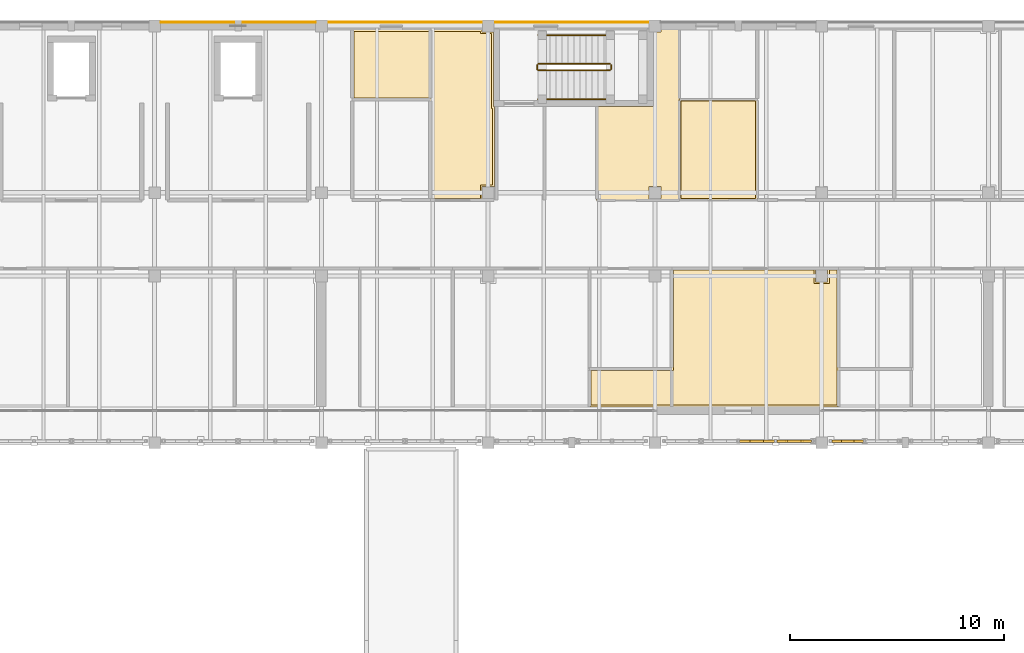
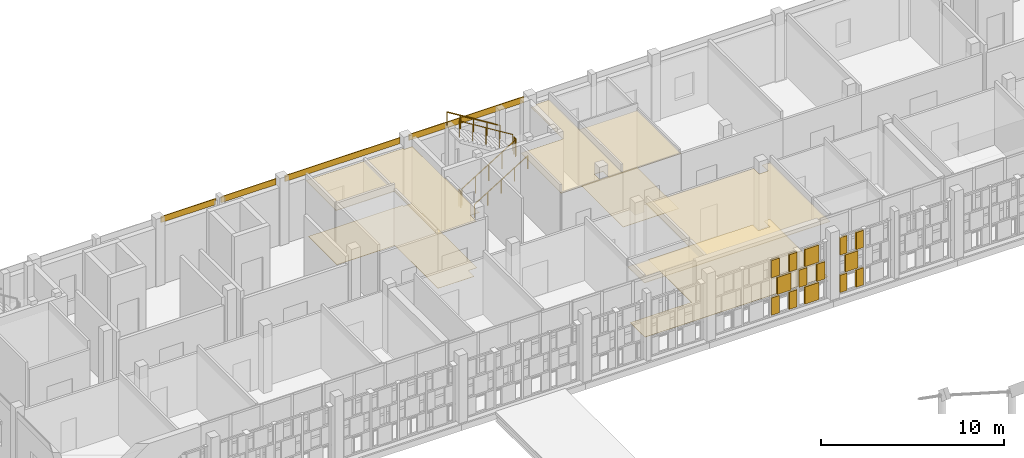
# One storey, part 116 of 119: 25 coverings, 6 railings.
"""IFC4 building model written with IfcOpenShell, lengths in metres."""

import ifcopenshell
import ifcopenshell.guid

model = None  # the IFC model being written
_history = None  # IfcOwnerHistory: only IFC2X3 demands one
_inside = {}  # id of a spatial element -> (the spatial element, [elements in it])
_under = {}  # id of a project, library or spatial element -> (it, [spatial elements below it])
_declared = {}  # id of a project -> (the project, [libraries it declares])
_typed = {}  # id of a type object -> (the type object, [elements of that type])
_made_of = {}  # id of a material, layer set ... -> (it, [elements and type objects made of it])


def new_model(schema):
    """Start an empty IFC model of exactly this schema.

    Asked for "IFC4X3", IfcOpenShell would pick the latest addendum, in which some entities
    have other attributes; the version numbers below select the first issue.
    IFC2X3 requires an IfcOwnerHistory on every rooted entity: one is made here for all.
    """
    global model, _history
    if schema == "IFC4X3":
        model = ifcopenshell.file(schema_version=(4, 3, 0, 0))
    else:
        model = ifcopenshell.file(schema=schema)
    _inside.clear()
    _under.clear()
    _declared.clear()
    _typed.clear()
    _made_of.clear()
    _history = None
    if model.schema == "IFC2X3":
        org = make("IfcOrganization", Name="unknown")
        user = make(
            "IfcPersonAndOrganization",
            ThePerson=make("IfcPerson", FamilyName="unknown"),
            TheOrganization=org,
        )
        app = make(
            "IfcApplication",
            ApplicationDeveloper=org,
            Version="unknown",
            ApplicationFullName="unknown",
            ApplicationIdentifier="unknown",
        )
        _history = make(
            "IfcOwnerHistory",
            OwningUser=user,
            OwningApplication=app,
            ChangeAction="ADDED",
            CreationDate=0,
        )
    return model


def make(cls, **values):
    """One entity of the class cls with the attributes given. An attribute that is None is left unset."""
    return model.create_entity(
        cls, **{name: value for name, value in values.items() if value is not None}
    )


def rooted(cls, **values):
    """An entity with a GlobalId (a new one), such as an element, a storey or a relation."""
    return make(cls, GlobalId=ifcopenshell.guid.new(), OwnerHistory=_history, **values)


def si_unit(unit_type, name, prefix=None):
    """IfcSIUnit, for example si_unit("LENGTHUNIT", "METRE", prefix="MILLI")."""
    return make("IfcSIUnit", UnitType=unit_type, Prefix=prefix, Name=name)


def assignment(units):
    """IfcUnitAssignment: the units of a project."""
    return None if units is None else make("IfcUnitAssignment", Units=units)


def point(xyz):
    """IfcCartesianPoint."""
    return None if xyz is None else make("IfcCartesianPoint", Coordinates=xyz)


def direction(xyz):
    """IfcDirection."""
    return None if xyz is None else make("IfcDirection", DirectionRatios=xyz)


def frame(location, z_axis=None, x_axis=None):
    """IfcAxis2Placement3D, a coordinate frame: its origin and axes. An axis left out is left unset."""
    return make(
        "IfcAxis2Placement3D",
        Location=point(location),
        Axis=direction(z_axis),
        RefDirection=direction(x_axis),
    )


def frame_2d(location, x_axis=None):
    """IfcAxis2Placement2D, a coordinate frame in the plane: its origin and x axis."""
    return make(
        "IfcAxis2Placement2D", Location=point(location), RefDirection=direction(x_axis)
    )


def origin():
    """The frame at (0, 0, 0) with its axes left unset."""
    return frame((0.0, 0.0, 0.0))


def origin_2d():
    """The frame at (0, 0) in the plane with its x axis left unset."""
    return frame_2d((0.0, 0.0))


def place(relative_to, where):
    """IfcLocalPlacement: puts the frame where relative to a parent placement (None: the world)."""
    return make(
        "IfcLocalPlacement", PlacementRelTo=relative_to, RelativePlacement=where
    )


def context(
    kind, dimensions, precision=None, world=None, true_north=None, identifier=None
):
    """IfcGeometricRepresentationContext, for example the 3D "Model" context."""
    return make(
        "IfcGeometricRepresentationContext",
        ContextIdentifier=identifier,
        ContextType=kind,
        CoordinateSpaceDimension=dimensions,
        Precision=precision,
        WorldCoordinateSystem=world,
        TrueNorth=true_north,
    )


def subcontext(parent, identifier, kind, view, scale=None):
    """IfcGeometricRepresentationSubContext, for example "Body" below "Model"."""
    return make(
        "IfcGeometricRepresentationSubContext",
        ContextIdentifier=identifier,
        ContextType=kind,
        ParentContext=parent,
        TargetScale=scale,
        TargetView=view,
    )


def project(units=None, contexts=None):
    """IfcProject with its units and contexts."""
    return rooted(
        "IfcProject",
        Name="project",
        RepresentationContexts=contexts,
        UnitsInContext=assignment(units),
    )


def spatial(cls, under=None, at=None, **own):
    """A site, building, storey or space (cls), placed at a placement, below another one or the project."""
    s = rooted(cls, ObjectPlacement=at, **own)
    if under is not None:
        _under.setdefault(under.id(), (under, []))[1].append(s)
    return s


def polyline(points):
    """IfcPolyline through the points."""
    return make("IfcPolyline", Points=[point(p) for p in points])


def profile(cls, at=None, kind="AREA", **sizes):
    """A parametric profile (cls). Its sizes go by their IFC names, for example OverallWidth=200.0."""
    return make(cls, ProfileType=kind, Position=at, **sizes)


def rectangle(**sizes):
    """IfcRectangleProfileDef."""
    return profile("IfcRectangleProfileDef", **sizes)


def circle(**sizes):
    """IfcCircleProfileDef."""
    return profile("IfcCircleProfileDef", **sizes)


def outline(outer, holes=None, kind="AREA"):
    """IfcArbitraryClosedProfileDef: a profile drawn as a closed curve; with holes, ...WithVoids."""
    if holes is None:
        return make("IfcArbitraryClosedProfileDef", ProfileType=kind, OuterCurve=outer)
    return make(
        "IfcArbitraryProfileDefWithVoids",
        ProfileType=kind,
        OuterCurve=outer,
        InnerCurves=holes,
    )


def extrude(swept, where, along, depth):
    """IfcExtrudedAreaSolid: the profile swept, set in the frame where, extruded along a direction by depth."""
    return make(
        "IfcExtrudedAreaSolid",
        SweptArea=swept,
        Position=where,
        ExtrudedDirection=direction(along),
        Depth=depth,
    )


def shape(context_of_items, identifier, shape_type, items):
    """IfcShapeRepresentation: the items that make up one representation, for example the "Body"."""
    return make(
        "IfcShapeRepresentation",
        ContextOfItems=context_of_items,
        RepresentationIdentifier=identifier,
        RepresentationType=shape_type,
        Items=items,
    )


def material(Name=None, Category=None):
    """IfcMaterial."""
    return make("IfcMaterial", Name=Name, Category=Category)


def layer(
    of_material, thickness, ventilated=None, Name=None, Category=None, Priority=None
):
    """IfcMaterialLayer: one layer of a wall or slab, of a material (None: an air gap)."""
    return make(
        "IfcMaterialLayer",
        Material=of_material,
        LayerThickness=thickness,
        IsVentilated=ventilated,
        Name=Name,
        Category=Category,
        Priority=Priority,
    )


def layer_set(layers, Name=None):
    """IfcMaterialLayerSet."""
    return make("IfcMaterialLayerSet", MaterialLayers=layers, LayerSetName=Name)


def made_of(thing, what):
    """Note that an element or type object is made of a material, layer set ...; save() writes the relation."""
    if what is not None:
        _made_of.setdefault(what.id(), (what, []))[1].append(thing)
    return thing


def type_object(cls, material=None, **own):
    """A type object (cls), such as IfcWallType, which elements share."""
    return made_of(rooted(cls, **own), material)


def element(
    cls,
    number,
    at=None,
    inside=None,
    cuts=None,
    type_object=None,
    material=None,
    context=None,
    identifier="Body",
    shape_type=None,
    held_by="IfcProductDefinitionShape",
    body=None,
    shapes=None,
    **own,
):
    """One element of the class cls, such as IfcWall. Its Tag is "e" and its number.

    at: its placement. inside: the storey or other place that contains it. cuts: it is an
    opening in that element (IfcRelVoidsElement). A single representation is given by context,
    identifier, shape_type and body (its items); several are given by shapes. held_by: the class
    of the entity that holds the representations. save() writes the other relations.
    """
    e = rooted(cls, Tag="e%d" % number, ObjectPlacement=at, **own)
    if body is not None:
        shapes = [shape(context, identifier, shape_type, body)]
    if shapes is not None:
        e.Representation = make(held_by, Representations=shapes)
    if inside is not None:
        _inside.setdefault(inside.id(), (inside, []))[1].append(e)
    if cuts is not None:
        rooted(
            "IfcRelVoidsElement", RelatingBuildingElement=cuts, RelatedOpeningElement=e
        )
    if type_object is not None:
        _typed.setdefault(type_object.id(), (type_object, []))[1].append(e)
    return made_of(e, material)


def aggregate(whole, parts):
    """IfcRelAggregates: a whole, such as a stair, and the parts it consists of."""
    return rooted("IfcRelAggregates", RelatingObject=whole, RelatedObjects=parts)


def save(model, path):
    """Write the relations noted so far, then the file.

    IfcRelAggregates (storeys below a building ...), IfcRelContainedInSpatialStructure (elements
    in a storey), IfcRelDefinesByType, IfcRelAssociatesMaterial and IfcRelDeclares: one each for
    every whole, place, type object, material and project.
    """
    for whole, parts in _under.values():
        aggregate(whole, parts)
    for where, things in _inside.values():
        rooted(
            "IfcRelContainedInSpatialStructure",
            RelatedElements=things,
            RelatingStructure=where,
        )
    for kind, things in _typed.values():
        rooted("IfcRelDefinesByType", RelatedObjects=things, RelatingType=kind)
    for what, things in _made_of.values():
        rooted("IfcRelAssociatesMaterial", RelatedObjects=things, RelatingMaterial=what)
    for by, libraries in _declared.values():
        rooted("IfcRelDeclares", RelatingContext=by, RelatedDefinitions=libraries)
    model.write(path)


model = new_model("IFC4")

# Units and contexts
model_context = context("Model", 3, precision=1e-05, world=origin(), true_north=direction((0.0, 1.0)))
body_context = subcontext(model_context, "Body", "Model", "MODEL_VIEW")
ifc_project = project(units=[si_unit("LENGTHUNIT", "METRE"), si_unit("AREAUNIT", "SQUARE_METRE"), si_unit("VOLUMEUNIT", "CUBIC_METRE"), si_unit("PLANEANGLEUNIT", "RADIAN"), si_unit("MASSUNIT", "GRAM", prefix="KILO")], contexts=[model_context])

# Site, building, storey
site_placement = place(None, origin())
site = spatial("IfcSite", under=ifc_project, at=site_placement, CompositionType="ELEMENT")
building_placement = place(site_placement, origin())
building = spatial("IfcBuilding", under=site, at=building_placement, Name="Celorna Specialist Clinic", CompositionType="ELEMENT")
storey_placement = place(building_placement, frame((0.0, 0.0, 9.60009765625)))
storey = spatial("IfcBuildingStorey", under=building, at=storey_placement, Name="L02", CompositionType="ELEMENT", Elevation=9.60009765625)

# Coverings
ifc_material_1 = material(Name="Hygienic acoustic mineral-fibre ceiling")
ifc_layer_1 = layer(ifc_material_1, 0.030029296875, Name="Hygienic acoustic mineral-fibre ceiling")
ifc_layer_set_1 = layer_set([ifc_layer_1], Name="Hygienic acoustic mineral-fibre ceiling")
covering_type_1 = type_object("IfcCoveringType", Name="CE-01", PredefinedType="CEILING", material=ifc_layer_set_1)
covering_1_placement = place(storey_placement, frame((0.0, 0.0, 3.68994140625)))
element("IfcCovering", 1, at=covering_1_placement, inside=storey, type_object=covering_type_1, Name="Acoustic ceiling L02-033", PredefinedType="CEILING", context=body_context, shape_type="SweptSolid", body=[
    extrude(outline(polyline([(86.574951171875, 104.6650390625), (93.330078125, 104.6650390625), (93.330078125, 104.580078125), (93.320068359375, 104.580078125), (93.320068359375, 104.02001953125), (93.8798828125, 104.02001953125), (93.8798828125, 104.580078125), (93.8701171875, 104.580078125), (93.8701171875, 104.6650390625), (94.405029296875, 104.6650390625), (94.405029296875, 98.175048828125), (82.72509765625, 98.175048828125), (82.72509765625, 99.965087890625), (86.574951171875, 99.965087890625), (86.574951171875, 104.6650390625)])), origin(), (0.0, 0.0, 1.0), 0.030029296875),
])
covering_2_placement = place(storey_placement, frame((0.0, 0.0, 3.68994140625)))
element("IfcCovering", 2, at=covering_2_placement, inside=storey, type_object=covering_type_1, Name="Acoustic ceiling L02-043", PredefinedType="CEILING", context=body_context, shape_type="SweptSolid", body=[
    extrude(outline(polyline([(71.625, 112.534912109375), (71.625, 115.824951171875), (77.719970703125, 115.824951171875), (77.719970703125, 115.719970703125), (78.2548828125, 115.719970703125), (78.2548828125, 112.235107421875), (78.284912109375, 112.235107421875), (78.284912109375, 108.469970703125), (78.280029296875, 108.469970703125), (78.280029296875, 108.47998046875), (77.719970703125, 108.47998046875), (77.719970703125, 107.919921875), (77.72998046875, 107.919921875), (77.72998046875, 107.8349609375), (75.27490234375, 107.8349609375), (75.27490234375, 112.534912109375), (71.625, 112.534912109375)])), origin(), (0.0, 0.0, 1.0), 0.030029296875),
])
covering_3_placement = place(storey_placement, frame((0.0, 0.0, 3.68994140625)))
element("IfcCovering", 3, at=covering_3_placement, inside=storey, type_object=covering_type_1, Name="Acoustic ceiling L02-044", PredefinedType="CEILING", context=body_context, shape_type="SweptSolid", body=[
    extrude(outline(polyline([(83.074951171875, 107.8349609375), (83.074951171875, 112.235107421875), (85.72509765625, 112.235107421875), (85.72509765625, 115.719970703125), (86.080078125, 115.719970703125), (86.080078125, 115.824951171875), (86.955078125, 115.824951171875), (86.955078125, 107.8349609375), (86.070068359375, 107.8349609375), (86.070068359375, 107.919921875), (86.080078125, 107.919921875), (86.080078125, 108.47998046875), (85.52001953125, 108.47998046875), (85.52001953125, 107.919921875), (85.530029296875, 107.919921875), (85.530029296875, 107.8349609375), (83.074951171875, 107.8349609375)])), origin(), (0.0, 0.0, 1.0), 0.030029296875),
])
covering_4_placement = place(storey_placement, frame((0.0, 0.0, 3.68994140625)))
element("IfcCovering", 4, at=covering_4_placement, inside=storey, type_object=covering_type_1, Name="Acoustic ceiling L02-045", PredefinedType="CEILING", context=body_context, shape_type="SweptSolid", body=[
    extrude(outline(polyline([(90.60498046875, 112.56494140625), (90.60498046875, 107.8349609375), (86.925048828125, 107.8349609375), (86.925048828125, 112.56494140625), (90.60498046875, 112.56494140625)])), origin(), (0.0, 0.0, 1.0), 0.030029296875),
])
ifc_material_2 = material(Name="Pero Pinheiro Lioz limestone rainscreen cladding", Category="masonry")
ifc_layer_2 = layer(ifc_material_2, 0.044921875, Name="Pero Pinheiro Lioz limestone rainscreen cladding")
ifc_layer_set_2 = layer_set([ifc_layer_2], Name="Pero Pinheiro Lioz limestone rainscreen cladding")
covering_type_2 = type_object("IfcCoveringType", Name="CL-01", PredefinedType="CLADDING", material=ifc_layer_set_2)
for number, where, z_axis, x_axis, name in (
    (5, (64.41259765625, 116.16748046875, 3.83984375), (0.0, 0.0, 1.0), (1.0, 0.0, 0.0), "Lioz spandrel cladding #237"),
    (6, (68.1875, 116.16748046875, 3.83984375), (0.0, 0.0, 1.0), (1.0, 0.0, 0.0), "Lioz spandrel cladding #238"),
):
    element("IfcCovering", number, at=place(storey_placement, frame(where, z_axis=z_axis, x_axis=x_axis)), inside=storey, type_object=covering_type_2, Name=name, PredefinedType="CLADDING", context=body_context, shape_type="SweptSolid", body=[
        extrude(rectangle(XDim=3.47509765625, YDim=0.044921875, at=origin_2d()), origin(), (0.0, 0.0, 1.0), 0.39990234375),
    ])
for number, where, z_axis, x_axis, name in (
    (7, (74.10009765625, 116.16748046875, 3.83984375), (0.0, 0.0, 1.0), (1.0, 0.0, 0.0), "Lioz spandrel cladding #239"),
    (8, (81.89990234375, 116.16748046875, 3.83984375), (0.0, 0.0, 1.0), (1.0, 0.0, 0.0), "Lioz spandrel cladding #240"),
):
    element("IfcCovering", number, at=place(storey_placement, frame(where, z_axis=z_axis, x_axis=x_axis)), inside=storey, type_object=covering_type_2, Name=name, PredefinedType="CLADDING", context=body_context, shape_type="SweptSolid", body=[
        extrude(rectangle(XDim=7.25, YDim=0.044921875, at=origin_2d()), origin(), (0.0, 0.0, 1.0), 0.39990234375),
    ])
ifc_material_3 = material(Name="Perforated terracotta brick weave cladding", Category="masonry")
ifc_layer_3 = layer(ifc_material_3, 0.114990234375, Name="Perforated terracotta brick weave cladding")
ifc_layer_set_3 = layer_set([ifc_layer_3], Name="Perforated terracotta brick weave cladding")
covering_type_3 = type_object("IfcCoveringType", Name="CL-02", PredefinedType="CLADDING", material=ifc_layer_set_3)
for number, where, z_axis, x_axis, name in (
    (9, (90.00732421875, 96.570068359375, 0.10009765625), (0.0, 0.0, 1.0), (1.0, 0.0, 0.0), "Woven perforated terracotta brick course #959"),
    (10, (91.135009765625, 96.570068359375, 0.10009765625), (0.0, 0.0, 1.0), (1.0, 0.0, 0.0), "Woven perforated terracotta brick course #960"),
):
    element("IfcCovering", number, at=place(storey_placement, frame(where, z_axis=z_axis, x_axis=x_axis)), inside=storey, type_object=covering_type_3, Name=name, PredefinedType="CLADDING", context=body_context, shape_type="SweptSolid", body=[
        extrude(rectangle(XDim=0.494873046875, YDim=0.114990234375, at=origin_2d()), origin(), (0.0, 0.0, 1.0), 1.146728515625),
    ])
covering_5_placement = place(storey_placement, frame((90.5712890625, 96.570068359375, 1.3466796875), z_axis=(0.0, 0.0, 1.0), x_axis=(1.0, 0.0, 0.0)))
element("IfcCovering", 11, at=covering_5_placement, inside=storey, type_object=covering_type_3, Name="Woven perforated terracotta brick course #961", PredefinedType="CLADDING", context=body_context, shape_type="SweptSolid", body=[
    extrude(rectangle(XDim=0.876220703125, YDim=0.114990234375, at=origin_2d()), origin(), (0.0, 0.0, 1.0), 1.146484375),
])
for number, where, z_axis, x_axis, name in (
    (12, (90.00732421875, 96.570068359375, 2.59326171875), (0.0, 0.0, 1.0), (1.0, 0.0, 0.0), "Woven perforated terracotta brick course #962"),
    (13, (91.135009765625, 96.570068359375, 2.59326171875), (0.0, 0.0, 1.0), (1.0, 0.0, 0.0), "Woven perforated terracotta brick course #963"),
):
    element("IfcCovering", number, at=place(storey_placement, frame(where, z_axis=z_axis, x_axis=x_axis)), inside=storey, type_object=covering_type_3, Name=name, PredefinedType="CLADDING", context=body_context, shape_type="SweptSolid", body=[
        extrude(rectangle(XDim=0.494873046875, YDim=0.114990234375, at=origin_2d()), origin(), (0.0, 0.0, 1.0), 1.146728515625),
    ])
covering_6_placement = place(storey_placement, frame((92.313720703125, 96.570068359375, 0.10009765625), z_axis=(0.0, 0.0, 1.0), x_axis=(1.0, 0.0, 0.0)))
element("IfcCovering", 14, at=covering_6_placement, inside=storey, type_object=covering_type_3, Name="Woven perforated terracotta brick course #964", PredefinedType="CLADDING", context=body_context, shape_type="SweptSolid", body=[
    extrude(rectangle(XDim=0.876220703125, YDim=0.114990234375, at=origin_2d()), origin(), (0.0, 0.0, 1.0), 1.146728515625),
])
for number, where, z_axis, x_axis, name in (
    (15, (91.75, 96.570068359375, 1.3466796875), (0.0, 0.0, 1.0), (1.0, 0.0, 0.0), "Woven perforated terracotta brick course #965"),
    (16, (92.87744140625, 96.570068359375, 1.3466796875), (0.0, 0.0, 1.0), (1.0, 0.0, 0.0), "Woven perforated terracotta brick course #966"),
):
    element("IfcCovering", number, at=place(storey_placement, frame(where, z_axis=z_axis, x_axis=x_axis)), inside=storey, type_object=covering_type_3, Name=name, PredefinedType="CLADDING", context=body_context, shape_type="SweptSolid", body=[
        extrude(rectangle(XDim=0.494873046875, YDim=0.114990234375, at=origin_2d()), origin(), (0.0, 0.0, 1.0), 1.146484375),
    ])
covering_7_placement = place(storey_placement, frame((92.313720703125, 96.570068359375, 2.59326171875), z_axis=(0.0, 0.0, 1.0), x_axis=(1.0, 0.0, 0.0)))
element("IfcCovering", 17, at=covering_7_placement, inside=storey, type_object=covering_type_3, Name="Woven perforated terracotta brick course #967", PredefinedType="CLADDING", context=body_context, shape_type="SweptSolid", body=[
    extrude(rectangle(XDim=0.876220703125, YDim=0.114990234375, at=origin_2d()), origin(), (0.0, 0.0, 1.0), 1.146728515625),
])
for number, where, z_axis, x_axis, name in (
    (18, (94.30029296875, 96.570068359375, 0.10009765625), (0.0, 0.0, 1.0), (1.0, 0.0, 0.0), "Woven perforated terracotta brick course #968"),
    (19, (95.3271484375, 96.570068359375, 0.10009765625), (0.0, 0.0, 1.0), (1.0, 0.0, 0.0), "Woven perforated terracotta brick course #969"),
):
    element("IfcCovering", number, at=place(storey_placement, frame(where, z_axis=z_axis, x_axis=x_axis)), inside=storey, type_object=covering_type_3, Name=name, PredefinedType="CLADDING", context=body_context, shape_type="SweptSolid", body=[
        extrude(rectangle(XDim=0.45068359375, YDim=0.114990234375, at=origin_2d()), origin(), (0.0, 0.0, 1.0), 1.146728515625),
    ])
covering_8_placement = place(storey_placement, frame((94.813720703125, 96.570068359375, 1.3466796875), z_axis=(0.0, 0.0, 1.0), x_axis=(1.0, 0.0, 0.0)))
element("IfcCovering", 20, at=covering_8_placement, inside=storey, type_object=covering_type_3, Name="Woven perforated terracotta brick course #970", PredefinedType="CLADDING", context=body_context, shape_type="SweptSolid", body=[
    extrude(rectangle(XDim=0.7978515625, YDim=0.114990234375, at=origin_2d()), origin(), (0.0, 0.0, 1.0), 1.146484375),
])
for number, where, z_axis, x_axis, name in (
    (21, (94.30029296875, 96.570068359375, 2.59326171875), (0.0, 0.0, 1.0), (1.0, 0.0, 0.0), "Woven perforated terracotta brick course #971"),
    (22, (95.3271484375, 96.570068359375, 2.59326171875), (0.0, 0.0, 1.0), (1.0, 0.0, 0.0), "Woven perforated terracotta brick course #972"),
):
    element("IfcCovering", number, at=place(storey_placement, frame(where, z_axis=z_axis, x_axis=x_axis)), inside=storey, type_object=covering_type_3, Name=name, PredefinedType="CLADDING", context=body_context, shape_type="SweptSolid", body=[
        extrude(rectangle(XDim=0.45068359375, YDim=0.114990234375, at=origin_2d()), origin(), (0.0, 0.0, 1.0), 1.146728515625),
    ])
ifc_material_4 = material(Name="Seamless antimicrobial clinical vinyl and Lioz terrazzo flooring")
ifc_layer_4 = layer(ifc_material_4, 0.02001953125, Name="Seamless antimicrobial clinical vinyl and Lioz terrazzo flooring")
ifc_layer_set_4 = layer_set([ifc_layer_4], Name="Seamless antimicrobial clinical vinyl and Lioz terrazzo flooring")
covering_type_4 = type_object("IfcCoveringType", Name="FL-01", PredefinedType="FLOORING", material=ifc_layer_set_4)
covering_9_placement = place(storey_placement, origin())
element("IfcCovering", 23, at=covering_9_placement, inside=storey, type_object=covering_type_4, Name="Antimicrobial clinical flooring L02-033", PredefinedType="FLOORING", context=body_context, shape_type="SweptSolid", body=[
    extrude(outline(polyline([(86.6650390625, 99.875), (86.6650390625, 104.574951171875), (93.239990234375, 104.574951171875), (93.239990234375, 103.93994140625), (93.9599609375, 103.93994140625), (93.9599609375, 104.574951171875), (94.31494140625, 104.574951171875), (94.31494140625, 98.264892578125), (82.81494140625, 98.264892578125), (82.81494140625, 99.875), (86.6650390625, 99.875)])), origin(), (0.0, 0.0, 1.0), 0.02001953125),
])
covering_10_placement = place(storey_placement, origin())
element("IfcCovering", 24, at=covering_10_placement, inside=storey, type_object=covering_type_4, Name="Antimicrobial clinical flooring L02-043", PredefinedType="FLOORING", context=body_context, shape_type="SweptSolid", body=[
    extrude(outline(polyline([(75.364990234375, 112.625), (71.715087890625, 112.625), (71.715087890625, 115.735107421875), (77.639892578125, 115.735107421875), (77.639892578125, 115.639892578125), (78.1650390625, 115.639892578125), (78.1650390625, 112.14501953125), (78.195068359375, 112.14501953125), (78.195068359375, 108.56005859375), (77.639892578125, 108.56005859375), (77.639892578125, 107.925048828125), (75.364990234375, 107.925048828125), (75.364990234375, 112.625)])), origin(), (0.0, 0.0, 1.0), 0.02001953125),
])
covering_11_placement = place(storey_placement, origin())
element("IfcCovering", 25, at=covering_11_placement, inside=storey, type_object=covering_type_4, Name="Antimicrobial clinical flooring L02-045", PredefinedType="FLOORING", context=body_context, shape_type="SweptSolid", body=[
    extrude(outline(polyline([(87.014892578125, 112.47509765625), (90.514892578125, 112.47509765625), (90.514892578125, 107.925048828125), (87.014892578125, 107.925048828125), (87.014892578125, 112.47509765625)])), origin(), (0.0, 0.0, 1.0), 0.02001953125),
])

# Railings
ifc_material_5 = material(Name="Powder-coated steel S355", Category="steel")
railing_type_1 = type_object("IfcRailingType", Name="GR-01", PredefinedType="GUARDRAIL", material=ifc_material_5)
railing_1_placement = place(storey_placement, frame((80.340087890625, 113.919921875, 0.173095703125)))
element("IfcRailing", 26, at=railing_1_placement, inside=storey, type_object=railing_type_1, Name="L02 ST-02 stair guard 1", PredefinedType="GUARDRAIL", context=body_context, shape_type="SweptSolid", body=[
    extrude(circle(Radius=0.02392578125, at=origin_2d()), frame((0.0, 0.0, 1.09619140625), z_axis=(0.850606129759, 0.0, 0.525803396734), x_axis=(0.0, 1.0, 0.0)), (0.0, 0.0, 1.0), 3.949951171875),
    extrude(circle(Radius=0.02099609375, at=origin_2d()), origin(), (0.0, 0.0, 1.0), 1.072021484375),
    extrude(circle(Radius=0.02099609375, at=origin_2d()), frame((0.83984375, 0.0, 0.519287109375)), (0.0, 0.0, 1.0), 1.072021484375),
    extrude(circle(Radius=0.02099609375, at=origin_2d()), frame((1.679931640625, 0.0, 1.03857421875)), (0.0, 0.0, 1.0), 1.072021484375),
    extrude(circle(Radius=0.02099609375, at=origin_2d()), frame((2.52001953125, 0.0, 1.5576171875)), (0.0, 0.0, 1.0), 1.072021484375),
    extrude(circle(Radius=0.02099609375, at=origin_2d()), frame((3.35986328125, 0.0, 2.076904296875)), (0.0, 0.0, 1.0), 1.072021484375),
])
railing_2_placement = place(storey_placement, frame((83.75, 113.969970703125, 2.25)))
element("IfcRailing", 27, at=railing_2_placement, inside=storey, type_object=railing_type_1, Name="L02 ST-02 stair guard 2", PredefinedType="GUARDRAIL", context=body_context, shape_type="SweptSolid", body=[
    extrude(circle(Radius=0.02392578125, at=origin_2d()), frame((0.0, 0.0, 1.09619140625), z_axis=(0.0, 1.0, 0.0), x_axis=(-1.0, 0.0, 0.0)), (0.0, 0.0, 1.0), 0.199951171875),
    extrude(circle(Radius=0.02099609375, at=origin_2d()), origin(), (0.0, 0.0, 1.0), 1.072021484375),
    extrude(circle(Radius=0.02099609375, at=origin_2d()), frame((0.0, 0.199951171875, 0.0)), (0.0, 0.0, 1.0), 1.072021484375),
])
railing_3_placement = place(storey_placement, frame((83.699951171875, 114.219970703125, 2.423095703125)))
element("IfcRailing", 28, at=railing_3_placement, inside=storey, type_object=railing_type_1, Name="L02 ST-02 stair guard 3", PredefinedType="GUARDRAIL", context=body_context, shape_type="SweptSolid", body=[
    extrude(circle(Radius=0.02392578125, at=origin_2d()), frame((0.0, 0.0, 1.09619140625), z_axis=(-0.850606129759, 0.0, 0.525803396734), x_axis=(0.0, -1.0, 0.0)), (0.0, 0.0, 1.0), 3.949951171875),
    extrude(circle(Radius=0.02099609375, at=origin_2d()), origin(), (0.0, 0.0, 1.0), 1.072021484375),
    extrude(circle(Radius=0.02099609375, at=origin_2d()), frame((-0.83984375, 0.0, 0.519287109375)), (0.0, 0.0, 1.0), 1.072021484375),
    extrude(circle(Radius=0.02099609375, at=origin_2d()), frame((-1.679931640625, 0.0, 1.03857421875)), (0.0, 0.0, 1.0), 1.072021484375),
    extrude(circle(Radius=0.02099609375, at=origin_2d()), frame((-2.52001953125, 0.0, 1.5576171875)), (0.0, 0.0, 1.0), 1.072021484375),
    extrude(circle(Radius=0.02099609375, at=origin_2d()), frame((-3.35986328125, 0.0, 2.076904296875)), (0.0, 0.0, 1.0), 1.072021484375),
])
railing_4_placement = place(storey_placement, frame((80.2900390625, 113.969970703125, 0.0)))
element("IfcRailing", 29, at=railing_4_placement, inside=storey, type_object=railing_type_1, Name="L02 ST-02 stair guard 4", PredefinedType="GUARDRAIL", context=body_context, shape_type="SweptSolid", body=[
    extrude(circle(Radius=0.02392578125, at=origin_2d()), frame((0.0, 0.0, 1.09619140625), z_axis=(0.0, 1.0, 0.0), x_axis=(-1.0, 0.0, 0.0)), (0.0, 0.0, 1.0), 0.199951171875),
    extrude(circle(Radius=0.02099609375, at=origin_2d()), origin(), (0.0, 0.0, 1.0), 1.072021484375),
    extrude(circle(Radius=0.02099609375, at=origin_2d()), frame((0.0, 0.199951171875, 0.0)), (0.0, 0.0, 1.0), 1.072021484375),
])
ifc_material_6 = material(Name="Brushed stainless steel handrail", Category="steel")
railing_type_2 = type_object("IfcRailingType", Name="HR-01", PredefinedType="HANDRAIL", material=ifc_material_6)
railing_5_placement = place(storey_placement, frame((80.340087890625, 112.570068359375, 0.173095703125)))
element("IfcRailing", 30, at=railing_5_placement, inside=storey, type_object=railing_type_2, Name="L02 ST-02 stair handrail 1", PredefinedType="HANDRAIL", context=body_context, shape_type="SweptSolid", body=[
    extrude(circle(Radius=0.02392578125, at=origin_2d()), frame((0.0, 0.0, 0.8759765625), z_axis=(0.850606129759, 0.0, 0.525803396734), x_axis=(0.0, 1.0, 0.0)), (0.0, 0.0, 1.0), 3.949951171875),
    extrude(circle(Radius=0.02099609375, at=origin_2d()), origin(), (0.0, 0.0, 1.0), 0.851806640625),
    extrude(circle(Radius=0.02099609375, at=origin_2d()), frame((0.83984375, 0.0, 0.519287109375)), (0.0, 0.0, 1.0), 0.851806640625),
    extrude(circle(Radius=0.02099609375, at=origin_2d()), frame((1.679931640625, 0.0, 1.03857421875)), (0.0, 0.0, 1.0), 0.851806640625),
    extrude(circle(Radius=0.02099609375, at=origin_2d()), frame((2.52001953125, 0.0, 1.5576171875)), (0.0, 0.0, 1.0), 0.851806640625),
    extrude(circle(Radius=0.02099609375, at=origin_2d()), frame((3.35986328125, 0.0, 2.076904296875)), (0.0, 0.0, 1.0), 0.851806640625),
])
railing_6_placement = place(storey_placement, frame((83.699951171875, 115.570068359375, 2.423095703125)))
element("IfcRailing", 31, at=railing_6_placement, inside=storey, type_object=railing_type_2, Name="L02 ST-02 stair handrail 2", PredefinedType="HANDRAIL", context=body_context, shape_type="SweptSolid", body=[
    extrude(circle(Radius=0.02392578125, at=origin_2d()), frame((0.0, 0.0, 0.8759765625), z_axis=(-0.850606129759, 0.0, 0.525803396734), x_axis=(0.0, -1.0, 0.0)), (0.0, 0.0, 1.0), 3.949951171875),
    extrude(circle(Radius=0.02099609375, at=origin_2d()), origin(), (0.0, 0.0, 1.0), 0.851806640625),
    extrude(circle(Radius=0.02099609375, at=origin_2d()), frame((-0.83984375, 0.0, 0.519287109375)), (0.0, 0.0, 1.0), 0.851806640625),
    extrude(circle(Radius=0.02099609375, at=origin_2d()), frame((-1.679931640625, 0.0, 1.03857421875)), (0.0, 0.0, 1.0), 0.851806640625),
    extrude(circle(Radius=0.02099609375, at=origin_2d()), frame((-2.52001953125, 0.0, 1.5576171875)), (0.0, 0.0, 1.0), 0.851806640625),
    extrude(circle(Radius=0.02099609375, at=origin_2d()), frame((-3.35986328125, 0.0, 2.076904296875)), (0.0, 0.0, 1.0), 0.851806640625),
])

save(model, "model.ifc")
